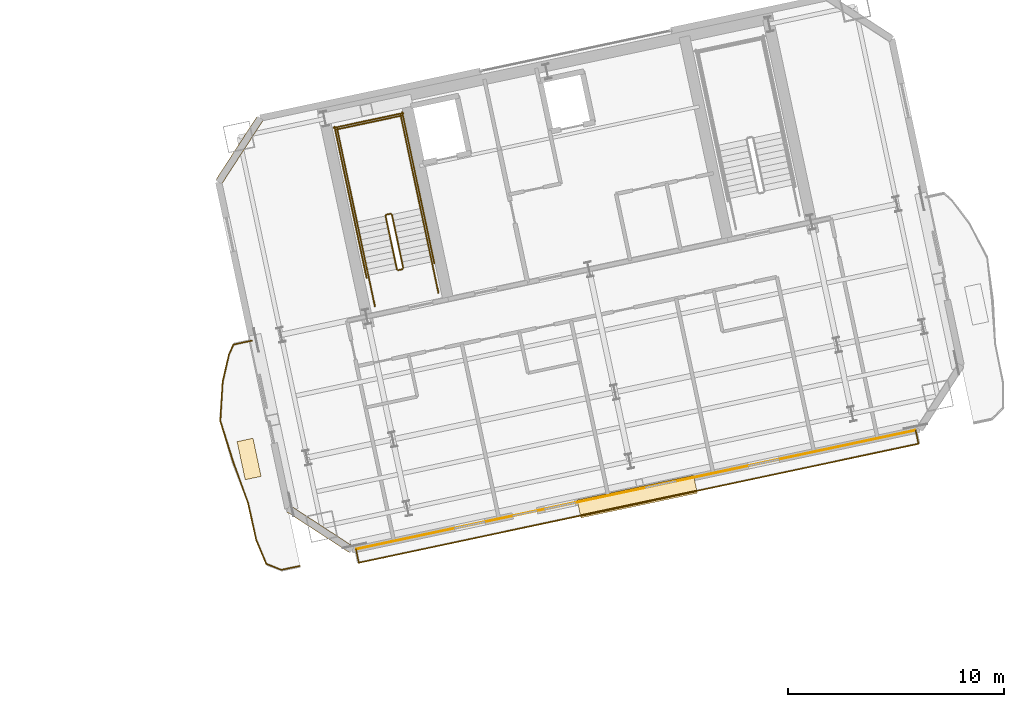
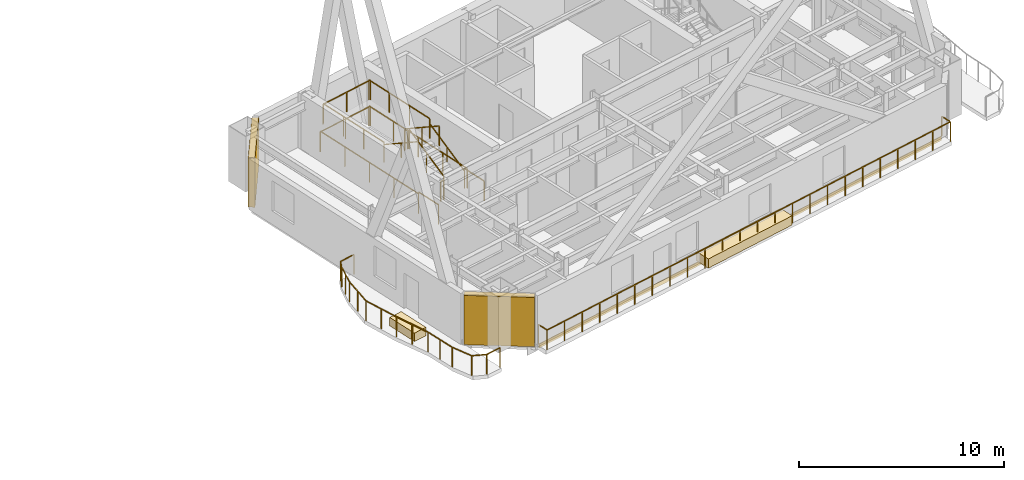
# One storey, part 18 of 19: 27 railings, 3 coverings, 2 shading devices.
"""IFC4 building model written with IfcOpenShell, lengths in metres."""

from ifc_helpers import new_model, si_unit, direction, frame, origin, origin_2d, place, context, subcontext, project, spatial, rectangle, extrude, material, layer, layer_set, type_object, element, save


model = new_model("IFC4")

# Units and contexts
model_context = context("Model", 3, precision=1e-05, world=origin(), true_north=direction((0.0, 1.0)))
body_context = subcontext(model_context, "Body", "Model", "MODEL_VIEW")
ifc_project = project(units=[si_unit("LENGTHUNIT", "METRE"), si_unit("AREAUNIT", "SQUARE_METRE"), si_unit("VOLUMEUNIT", "CUBIC_METRE"), si_unit("PLANEANGLEUNIT", "RADIAN"), si_unit("MASSUNIT", "GRAM", prefix="KILO")], contexts=[model_context])

# Site, building, storey
site_placement = place(None, origin())
site = spatial("IfcSite", under=ifc_project, at=site_placement, CompositionType="ELEMENT")
building_placement = place(site_placement, origin())
building = spatial("IfcBuilding", under=site, at=building_placement, Name="Haevon Station Towers", CompositionType="ELEMENT")
storey_placement = place(building_placement, frame((0.0, 0.0, 156.0)))
storey = spatial("IfcBuildingStorey", under=building, at=storey_placement, Name="L42", CompositionType="ELEMENT", Elevation=156.0)

# Covering
ifc_material_1 = material(Name="Anodised aluminium 6063-T6", Category="aluminium")
ifc_layer_1 = layer(ifc_material_1, 0.0400390625)
ifc_layer_set_1 = layer_set([ifc_layer_1], Name="Anodised aluminium 6063-T6")
covering_type_1 = type_object("IfcCoveringType", Name="COV-CLAD40", PredefinedType="CLADDING", material=ifc_layer_set_1)
covering_1_placement = place(storey_placement, frame((111.187255859375, 29.44287109375, -0.240234375), z_axis=(0.0, 0.0, 1.0), x_axis=(0.978147600734, 0.207911690818, 0.0)))
element("IfcCovering", 1, at=covering_1_placement, inside=storey, type_object=covering_type_1, Name="Tower 2 L42 Spandrel Fascia Cladding", PredefinedType="CLADDING", context=body_context, shape_type="SweptSolid", body=[
    extrude(rectangle(XDim=26.39990234375, YDim=0.0400390625, at=origin_2d()), origin(), (0.0, 0.0, 1.0), 0.239990234375),
])

# Railings
ifc_material_2 = material(Name="Steel S355", Category="steel")
railing_type_1 = type_object("IfcRailingType", Name="GRD-EXT1200", PredefinedType="GUARDRAIL", material=ifc_material_2)
railing_1_placement = place(storey_placement, frame((98.388916015625, 26.0703125, 0.0)))
element("IfcRailing", 2, at=railing_1_placement, inside=storey, type_object=railing_type_1, Name="L42 Perimeter Guardrail 1", PredefinedType="GUARDRAIL", context=body_context, shape_type="SweptSolid", body=[
    extrude(rectangle(XDim=0.048095703125, YDim=0.048095703125, at=origin_2d()), frame((0.0, 0.0, 1.17578125), z_axis=(0.9781482188, 0.207908783024, 0.0), x_axis=(-0.207908783024, 0.9781482188, 0.0)), (0.0, 0.0, 1.0), 26.439697265625),
    extrude(rectangle(XDim=0.0419921875, YDim=0.0419921875, at=origin_2d()), origin(), (0.0, 0.0, 1.0), 1.15185546875),
    extrude(rectangle(XDim=0.0419921875, YDim=0.0419921875, at=origin_2d()), frame((1.12451171875, 0.239013671875, 0.0)), (0.0, 0.0, 1.0), 1.15185546875),
    extrude(rectangle(XDim=0.0419921875, YDim=0.0419921875, at=origin_2d()), frame((2.248779296875, 0.47802734375, 0.0)), (0.0, 0.0, 1.0), 1.15185546875),
    extrude(rectangle(XDim=0.0419921875, YDim=0.0419921875, at=origin_2d()), frame((3.373291015625, 0.717041015625, 0.0)), (0.0, 0.0, 1.0), 1.15185546875),
    extrude(rectangle(XDim=0.0419921875, YDim=0.0419921875, at=origin_2d()), frame((4.497802734375, 0.9560546875, 0.0)), (0.0, 0.0, 1.0), 1.15185546875),
    extrude(rectangle(XDim=0.0419921875, YDim=0.0419921875, at=origin_2d()), frame((5.6220703125, 1.195068359375, 0.0)), (0.0, 0.0, 1.0), 1.15185546875),
    extrude(rectangle(XDim=0.0419921875, YDim=0.0419921875, at=origin_2d()), frame((6.74658203125, 1.43408203125, 0.0)), (0.0, 0.0, 1.0), 1.15185546875),
    extrude(rectangle(XDim=0.0419921875, YDim=0.0419921875, at=origin_2d()), frame((7.87109375, 1.673095703125, 0.0)), (0.0, 0.0, 1.0), 1.15185546875),
    extrude(rectangle(XDim=0.0419921875, YDim=0.0419921875, at=origin_2d()), frame((8.99560546875, 1.912109375, 0.0)), (0.0, 0.0, 1.0), 1.15185546875),
    extrude(rectangle(XDim=0.0419921875, YDim=0.0419921875, at=origin_2d()), frame((10.119873046875, 2.151123046875, 0.0)), (0.0, 0.0, 1.0), 1.15185546875),
    extrude(rectangle(XDim=0.0419921875, YDim=0.0419921875, at=origin_2d()), frame((11.244384765625, 2.39013671875, 0.0)), (0.0, 0.0, 1.0), 1.15185546875),
    extrude(rectangle(XDim=0.0419921875, YDim=0.0419921875, at=origin_2d()), frame((12.368896484375, 2.629150390625, 0.0)), (0.0, 0.0, 1.0), 1.15185546875),
    extrude(rectangle(XDim=0.0419921875, YDim=0.0419921875, at=origin_2d()), frame((13.4931640625, 2.867919921875, 0.0)), (0.0, 0.0, 1.0), 1.15185546875),
    extrude(rectangle(XDim=0.0419921875, YDim=0.0419921875, at=origin_2d()), frame((14.61767578125, 3.10693359375, 0.0)), (0.0, 0.0, 1.0), 1.15185546875),
    extrude(rectangle(XDim=0.0419921875, YDim=0.0419921875, at=origin_2d()), frame((15.7421875, 3.345947265625, 0.0)), (0.0, 0.0, 1.0), 1.15185546875),
    extrude(rectangle(XDim=0.0419921875, YDim=0.0419921875, at=origin_2d()), frame((16.866455078125, 3.5849609375, 0.0)), (0.0, 0.0, 1.0), 1.15185546875),
    extrude(rectangle(XDim=0.0419921875, YDim=0.0419921875, at=origin_2d()), frame((17.990966796875, 3.823974609375, 0.0)), (0.0, 0.0, 1.0), 1.15185546875),
    extrude(rectangle(XDim=0.0419921875, YDim=0.0419921875, at=origin_2d()), frame((19.115478515625, 4.06298828125, 0.0)), (0.0, 0.0, 1.0), 1.15185546875),
    extrude(rectangle(XDim=0.0419921875, YDim=0.0419921875, at=origin_2d()), frame((20.239990234375, 4.302001953125, 0.0)), (0.0, 0.0, 1.0), 1.15185546875),
    extrude(rectangle(XDim=0.0419921875, YDim=0.0419921875, at=origin_2d()), frame((21.3642578125, 4.541015625, 0.0)), (0.0, 0.0, 1.0), 1.15185546875),
    extrude(rectangle(XDim=0.0419921875, YDim=0.0419921875, at=origin_2d()), frame((22.48876953125, 4.780029296875, 0.0)), (0.0, 0.0, 1.0), 1.15185546875),
    extrude(rectangle(XDim=0.0419921875, YDim=0.0419921875, at=origin_2d()), frame((23.61328125, 5.01904296875, 0.0)), (0.0, 0.0, 1.0), 1.15185546875),
    extrude(rectangle(XDim=0.0419921875, YDim=0.0419921875, at=origin_2d()), frame((24.737548828125, 5.258056640625, 0.0)), (0.0, 0.0, 1.0), 1.15185546875),
    extrude(rectangle(XDim=0.0419921875, YDim=0.0419921875, at=origin_2d()), frame((25.862060546875, 5.4970703125, 0.0)), (0.0, 0.0, 1.0), 1.15185546875),
])
railing_2_placement = place(storey_placement, frame((124.2509765625, 31.5673828125, 0.0)))
element("IfcRailing", 3, at=railing_2_placement, inside=storey, type_object=railing_type_1, Name="L42 Perimeter Guardrail 2", PredefinedType="GUARDRAIL", context=body_context, shape_type="SweptSolid", body=[
    extrude(rectangle(XDim=0.048095703125, YDim=0.048095703125, at=origin_2d()), frame((0.0, 0.0, 1.17578125), z_axis=(-0.20770609595, 0.97819127869, 0.0), x_axis=(-0.97819127869, -0.20770609595, 0.0)), (0.0, 0.0, 1.0), 0.631103515625),
    extrude(rectangle(XDim=0.0419921875, YDim=0.0419921875, at=origin_2d()), origin(), (0.0, 0.0, 1.0), 1.15185546875),
    extrude(rectangle(XDim=0.0419921875, YDim=0.0419921875, at=origin_2d()), frame((-0.131103515625, 0.617431640625, 0.0)), (0.0, 0.0, 1.0), 1.15185546875),
])
railing_3_placement = place(storey_placement, frame((98.257568359375, 26.6875, 0.0)))
element("IfcRailing", 4, at=railing_3_placement, inside=storey, type_object=railing_type_1, Name="L42 Perimeter Guardrail 3", PredefinedType="GUARDRAIL", context=body_context, shape_type="SweptSolid", body=[
    extrude(rectangle(XDim=0.048095703125, YDim=0.048095703125, at=origin_2d()), frame((0.0, 0.0, 1.17578125), z_axis=(0.208154897238, -0.97809587401, 0.0), x_axis=(0.97809587401, 0.208154897238, 0.0)), (0.0, 0.0, 1.0), 0.631103515625),
    extrude(rectangle(XDim=0.0419921875, YDim=0.0419921875, at=origin_2d()), origin(), (0.0, 0.0, 1.0), 1.15185546875),
    extrude(rectangle(XDim=0.0419921875, YDim=0.0419921875, at=origin_2d()), frame((0.13134765625, -0.6171875, 0.0)), (0.0, 0.0, 1.0), 1.15185546875),
])
railing_4_placement = place(storey_placement, frame((93.44384765625, 36.33154296875, 0.0)))
element("IfcRailing", 5, at=railing_4_placement, inside=storey, type_object=railing_type_1, Name="L42 Perimeter Guardrail 1", PredefinedType="GUARDRAIL", context=body_context, shape_type="SweptSolid", body=[
    extrude(rectangle(XDim=0.048095703125, YDim=0.048095703125, at=origin_2d()), frame((0.0, 0.0, 1.17578125), z_axis=(-0.977695451476, -0.210027627141, 0.0), x_axis=(0.210027627141, -0.977695451476, 0.0)), (0.0, 0.0, 1.0), 0.869384765625),
    extrude(rectangle(XDim=0.0419921875, YDim=0.0419921875, at=origin_2d()), origin(), (0.0, 0.0, 1.0), 1.15185546875),
    extrude(rectangle(XDim=0.0419921875, YDim=0.0419921875, at=origin_2d()), frame((-0.85009765625, -0.1826171875, 0.0)), (0.0, 0.0, 1.0), 1.15185546875),
])
railing_5_placement = place(storey_placement, frame((92.59375, 36.14892578125, 0.0)))
element("IfcRailing", 6, at=railing_5_placement, inside=storey, type_object=railing_type_1, Name="L42 Perimeter Guardrail 2", PredefinedType="GUARDRAIL", context=body_context, shape_type="SweptSolid", body=[
    extrude(rectangle(XDim=0.048095703125, YDim=0.048095703125, at=origin_2d()), frame((0.0, 0.0, 1.17578125), z_axis=(-0.406806804169, -0.913514216683, 0.0), x_axis=(0.913514216683, -0.406806804169, 0.0)), (0.0, 0.0, 1.0), 0.50830078125),
    extrude(rectangle(XDim=0.0419921875, YDim=0.0419921875, at=origin_2d()), origin(), (0.0, 0.0, 1.0), 1.15185546875),
    extrude(rectangle(XDim=0.0419921875, YDim=0.0419921875, at=origin_2d()), frame((-0.206787109375, -0.46435546875, 0.0)), (0.0, 0.0, 1.0), 1.15185546875),
])
railing_6_placement = place(storey_placement, frame((92.386962890625, 35.6845703125, 0.0)))
element("IfcRailing", 7, at=railing_6_placement, inside=storey, type_object=railing_type_1, Name="L42 Perimeter Guardrail 3", PredefinedType="GUARDRAIL", context=body_context, shape_type="SweptSolid", body=[
    extrude(rectangle(XDim=0.048095703125, YDim=0.048095703125, at=origin_2d()), frame((0.0, 0.0, 1.17578125), z_axis=(-0.225729273284, -0.974190071384, 0.0), x_axis=(0.974190071384, -0.225729273284, 0.0)), (0.0, 0.0, 1.0), 1.29150390625),
    extrude(rectangle(XDim=0.0419921875, YDim=0.0419921875, at=origin_2d()), origin(), (0.0, 0.0, 1.0), 1.15185546875),
    extrude(rectangle(XDim=0.0419921875, YDim=0.0419921875, at=origin_2d()), frame((-0.145751953125, -0.62890625, 0.0)), (0.0, 0.0, 1.0), 1.15185546875),
    extrude(rectangle(XDim=0.0419921875, YDim=0.0419921875, at=origin_2d()), frame((-0.29150390625, -1.258056640625, 0.0)), (0.0, 0.0, 1.0), 1.15185546875),
])
railing_7_placement = place(storey_placement, frame((92.095458984375, 34.426513671875, 0.0)))
element("IfcRailing", 8, at=railing_7_placement, inside=storey, type_object=railing_type_1, Name="L42 Perimeter Guardrail 4", PredefinedType="GUARDRAIL", context=body_context, shape_type="SweptSolid", body=[
    extrude(rectangle(XDim=0.048095703125, YDim=0.048095703125, at=origin_2d()), frame((0.0, 0.0, 1.17578125), z_axis=(-0.060144905, -0.99818965653, 0.0), x_axis=(0.99818965653, -0.060144905, 0.0)), (0.0, 0.0, 1.0), 1.810302734375),
    extrude(rectangle(XDim=0.0419921875, YDim=0.0419921875, at=origin_2d()), origin(), (0.0, 0.0, 1.0), 1.15185546875),
    extrude(rectangle(XDim=0.0419921875, YDim=0.0419921875, at=origin_2d()), frame((-0.054443359375, -0.903564453125, 0.0)), (0.0, 0.0, 1.0), 1.15185546875),
    extrude(rectangle(XDim=0.0419921875, YDim=0.0419921875, at=origin_2d()), frame((-0.10888671875, -1.80712890625, 0.0)), (0.0, 0.0, 1.0), 1.15185546875),
])
railing_8_placement = place(storey_placement, frame((91.986572265625, 32.619384765625, 0.0)))
element("IfcRailing", 9, at=railing_8_placement, inside=storey, type_object=railing_type_1, Name="L42 Perimeter Guardrail 5", PredefinedType="GUARDRAIL", context=body_context, shape_type="SweptSolid", body=[
    extrude(rectangle(XDim=0.048095703125, YDim=0.048095703125, at=origin_2d()), frame((0.0, 0.0, 1.17578125), z_axis=(0.302413974896, -0.953176682356, 0.0), x_axis=(0.953176682356, 0.302413974896, 0.0)), (0.0, 0.0, 1.0), 2.003662109375),
    extrude(rectangle(XDim=0.0419921875, YDim=0.0419921875, at=origin_2d()), origin(), (0.0, 0.0, 1.0), 1.15185546875),
    extrude(rectangle(XDim=0.0419921875, YDim=0.0419921875, at=origin_2d()), frame((0.302978515625, -0.955078125, 0.0)), (0.0, 0.0, 1.0), 1.15185546875),
    extrude(rectangle(XDim=0.0419921875, YDim=0.0419921875, at=origin_2d()), frame((0.60595703125, -1.909912109375, 0.0)), (0.0, 0.0, 1.0), 1.15185546875),
])
railing_9_placement = place(storey_placement, frame((92.592529296875, 30.70947265625, 0.0)))
element("IfcRailing", 10, at=railing_9_placement, inside=storey, type_object=railing_type_1, Name="L42 Perimeter Guardrail 6", PredefinedType="GUARDRAIL", context=body_context, shape_type="SweptSolid", body=[
    extrude(rectangle(XDim=0.048095703125, YDim=0.048095703125, at=origin_2d()), frame((0.0, 0.0, 1.17578125), z_axis=(0.339339589496, -0.940663937334, 0.0), x_axis=(0.940663937334, 0.339339589496, 0.0)), (0.0, 0.0, 1.0), 2.00732421875),
    extrude(rectangle(XDim=0.0419921875, YDim=0.0419921875, at=origin_2d()), origin(), (0.0, 0.0, 1.0), 1.15185546875),
    extrude(rectangle(XDim=0.0419921875, YDim=0.0419921875, at=origin_2d()), frame((0.340576171875, -0.944091796875, 0.0)), (0.0, 0.0, 1.0), 1.15185546875),
    extrude(rectangle(XDim=0.0419921875, YDim=0.0419921875, at=origin_2d()), frame((0.68115234375, -1.88818359375, 0.0)), (0.0, 0.0, 1.0), 1.15185546875),
])
railing_10_placement = place(storey_placement, frame((93.273681640625, 28.8212890625, 0.0)))
element("IfcRailing", 11, at=railing_10_placement, inside=storey, type_object=railing_type_1, Name="L42 Perimeter Guardrail 7", PredefinedType="GUARDRAIL", context=body_context, shape_type="SweptSolid", body=[
    extrude(rectangle(XDim=0.048095703125, YDim=0.048095703125, at=origin_2d()), frame((0.0, 0.0, 1.17578125), z_axis=(0.215069312973, -0.976598786922, 0.0), x_axis=(0.976598786922, 0.215069312973, 0.0)), (0.0, 0.0, 1.0), 1.75048828125),
    extrude(rectangle(XDim=0.0419921875, YDim=0.0419921875, at=origin_2d()), origin(), (0.0, 0.0, 1.0), 1.15185546875),
    extrude(rectangle(XDim=0.0419921875, YDim=0.0419921875, at=origin_2d()), frame((0.188232421875, -0.854736328125, 0.0)), (0.0, 0.0, 1.0), 1.15185546875),
    extrude(rectangle(XDim=0.0419921875, YDim=0.0419921875, at=origin_2d()), frame((0.37646484375, -1.70947265625, 0.0)), (0.0, 0.0, 1.0), 1.15185546875),
])
railing_11_placement = place(storey_placement, frame((93.650146484375, 27.11181640625, 0.0)))
element("IfcRailing", 12, at=railing_11_placement, inside=storey, type_object=railing_type_1, Name="L42 Perimeter Guardrail 8", PredefinedType="GUARDRAIL", context=body_context, shape_type="SweptSolid", body=[
    extrude(rectangle(XDim=0.048095703125, YDim=0.048095703125, at=origin_2d()), frame((0.0, 0.0, 1.17578125), z_axis=(0.389860525795, -0.920873916683, 0.0), x_axis=(0.920873916683, 0.389860525795, 0.0)), (0.0, 0.0, 1.0), 1.191650390625),
    extrude(rectangle(XDim=0.0419921875, YDim=0.0419921875, at=origin_2d()), origin(), (0.0, 0.0, 1.0), 1.15185546875),
    extrude(rectangle(XDim=0.0419921875, YDim=0.0419921875, at=origin_2d()), frame((0.464599609375, -1.097412109375, 0.0)), (0.0, 0.0, 1.0), 1.15185546875),
])
railing_12_placement = place(storey_placement, frame((94.11474609375, 26.014404296875, 0.0)))
element("IfcRailing", 13, at=railing_12_placement, inside=storey, type_object=railing_type_1, Name="L42 Perimeter Guardrail 9", PredefinedType="GUARDRAIL", context=body_context, shape_type="SweptSolid", body=[
    extrude(rectangle(XDim=0.048095703125, YDim=0.048095703125, at=origin_2d()), frame((0.0, 0.0, 1.17578125), z_axis=(0.929918939499, -0.367764552344, 0.0), x_axis=(0.367764552344, 0.929918939499, 0.0)), (0.0, 0.0, 1.0), 0.743408203125),
    extrude(rectangle(XDim=0.0419921875, YDim=0.0419921875, at=origin_2d()), origin(), (0.0, 0.0, 1.0), 1.15185546875),
    extrude(rectangle(XDim=0.0419921875, YDim=0.0419921875, at=origin_2d()), frame((0.69140625, -0.2734375, 0.0)), (0.0, 0.0, 1.0), 1.15185546875),
])
railing_13_placement = place(storey_placement, frame((94.80615234375, 25.740966796875, 0.0)))
element("IfcRailing", 14, at=railing_13_placement, inside=storey, type_object=railing_type_1, Name="L42 Perimeter Guardrail 10", PredefinedType="GUARDRAIL", context=body_context, shape_type="SweptSolid", body=[
    extrude(rectangle(XDim=0.048095703125, YDim=0.048095703125, at=origin_2d()), frame((0.0, 0.0, 1.17578125), z_axis=(0.978588498747, 0.205826504901, 0.0), x_axis=(-0.205826504901, 0.978588498747, 0.0)), (0.0, 0.0, 1.0), 0.869384765625),
    extrude(rectangle(XDim=0.0419921875, YDim=0.0419921875, at=origin_2d()), origin(), (0.0, 0.0, 1.0), 1.15185546875),
    extrude(rectangle(XDim=0.0419921875, YDim=0.0419921875, at=origin_2d()), frame((0.850830078125, 0.178955078125, 0.0)), (0.0, 0.0, 1.0), 1.15185546875),
])
railing_type_2 = type_object("IfcRailingType", Name="GRD-STR1200", PredefinedType="GUARDRAIL", material=ifc_material_2)
railing_14_placement = place(storey_placement, frame((100.44140625, 39.69287109375, 0.1650390625)))
element("IfcRailing", 15, at=railing_14_placement, inside=storey, type_object=railing_type_2, Name="L42 ST3 Stair Guard 1", PredefinedType="GUARDRAIL", context=body_context, shape_type="SweptSolid", body=[
    extrude(rectangle(XDim=0.048095703125, YDim=0.048095703125, at=origin_2d()), frame((0.0, 0.0, 1.17578125), z_axis=(-0.179128856099, 0.842723639875, 0.507670877349), x_axis=(-0.978147030254, -0.207914374695, 0.0)), (0.0, 0.0, 1.0), 2.9248046875),
    extrude(rectangle(XDim=0.0419921875, YDim=0.0419921875, at=origin_2d()), origin(), (0.0, 0.0, 1.0), 1.15185546875),
    extrude(rectangle(XDim=0.0419921875, YDim=0.0419921875, at=origin_2d()), frame((-0.261962890625, 1.232421875, 0.742431640625)), (0.0, 0.0, 1.0), 1.15185546875),
    extrude(rectangle(XDim=0.0419921875, YDim=0.0419921875, at=origin_2d()), frame((-0.52392578125, 2.46484375, 1.48486328125)), (0.0, 0.0, 1.0), 1.15185546875),
])
railing_15_placement = place(storey_placement, frame((99.858154296875, 42.1962890625, 1.64990234375)))
element("IfcRailing", 16, at=railing_15_placement, inside=storey, type_object=railing_type_2, Name="L42 ST3 Stair Guard 2", PredefinedType="GUARDRAIL", context=body_context, shape_type="SweptSolid", body=[
    extrude(rectangle(XDim=0.048095703125, YDim=0.048095703125, at=origin_2d()), frame((0.0, 0.0, 1.17578125), z_axis=(-0.977962931203, -0.208778603291, 0.0), x_axis=(0.208778603291, -0.977962931203, 0.0)), (0.0, 0.0, 1.0), 0.199951171875),
    extrude(rectangle(XDim=0.0419921875, YDim=0.0419921875, at=origin_2d()), origin(), (0.0, 0.0, 1.0), 1.15185546875),
    extrude(rectangle(XDim=0.0419921875, YDim=0.0419921875, at=origin_2d()), frame((-0.195556640625, -0.041748046875, 0.0)), (0.0, 0.0, 1.0), 1.15185546875),
])
railing_16_placement = place(storey_placement, frame((101.238037109375, 42.4384765625, 1.64990234375)))
element("IfcRailing", 17, at=railing_16_placement, inside=storey, type_object=railing_type_2, Name="L42 ST3 Stair Guard 3", PredefinedType="GUARDRAIL", context=body_context, shape_type="SweptSolid", body=[
    extrude(rectangle(XDim=0.048095703125, YDim=0.048095703125, at=origin_2d()), frame((0.0, 0.0, 1.17578125), z_axis=(-0.20794048909, 0.978141479029, 0.0), x_axis=(-0.978141479029, -0.20794048909, 0.0)), (0.0, 0.0, 1.0), 4.429931640625),
    extrude(rectangle(XDim=0.0419921875, YDim=0.0419921875, at=origin_2d()), origin(), (0.0, 0.0, 1.0), 1.15185546875),
    extrude(rectangle(XDim=0.0419921875, YDim=0.0419921875, at=origin_2d()), frame((-0.30712890625, 1.4443359375, 0.0)), (0.0, 0.0, 1.0), 1.15185546875),
    extrude(rectangle(XDim=0.0419921875, YDim=0.0419921875, at=origin_2d()), frame((-0.614013671875, 2.888671875, 0.0)), (0.0, 0.0, 1.0), 1.15185546875),
    extrude(rectangle(XDim=0.0419921875, YDim=0.0419921875, at=origin_2d()), frame((-0.921142578125, 4.3330078125, 0.0)), (0.0, 0.0, 1.0), 1.15185546875),
])
railing_17_placement = place(storey_placement, frame((98.303466796875, 41.814697265625, 1.64990234375)))
element("IfcRailing", 18, at=railing_17_placement, inside=storey, type_object=railing_type_2, Name="L42 ST3 Stair Guard 4", PredefinedType="GUARDRAIL", context=body_context, shape_type="SweptSolid", body=[
    extrude(rectangle(XDim=0.048095703125, YDim=0.048095703125, at=origin_2d()), frame((0.0, 0.0, 1.17578125), z_axis=(-0.207876551949, 0.978155069071, 0.0), x_axis=(-0.978155069071, -0.207876551949, 0.0)), (0.0, 0.0, 1.0), 4.429931640625),
    extrude(rectangle(XDim=0.0419921875, YDim=0.0419921875, at=origin_2d()), origin(), (0.0, 0.0, 1.0), 1.15185546875),
    extrude(rectangle(XDim=0.0419921875, YDim=0.0419921875, at=origin_2d()), frame((-0.306884765625, 1.4443359375, 0.0)), (0.0, 0.0, 1.0), 1.15185546875),
    extrude(rectangle(XDim=0.0419921875, YDim=0.0419921875, at=origin_2d()), frame((-0.614013671875, 2.888916015625, 0.0)), (0.0, 0.0, 1.0), 1.15185546875),
    extrude(rectangle(XDim=0.0419921875, YDim=0.0419921875, at=origin_2d()), frame((-0.9208984375, 4.333251953125, 0.0)), (0.0, 0.0, 1.0), 1.15185546875),
])
railing_18_placement = place(storey_placement, frame((100.376220703125, 46.733154296875, 1.64990234375)))
element("IfcRailing", 19, at=railing_18_placement, inside=storey, type_object=railing_type_2, Name="L42 ST3 Stair Guard 5", PredefinedType="GUARDRAIL", context=body_context, shape_type="SweptSolid", body=[
    extrude(rectangle(XDim=0.048095703125, YDim=0.048095703125, at=origin_2d()), frame((0.0, 0.0, 1.17578125), z_axis=(-0.978146839882, -0.207915270313, 0.0), x_axis=(0.207915270313, -0.978146839882, 0.0)), (0.0, 0.0, 1.0), 3.099853515625),
    extrude(rectangle(XDim=0.0419921875, YDim=0.0419921875, at=origin_2d()), origin(), (0.0, 0.0, 1.0), 1.15185546875),
    extrude(rectangle(XDim=0.0419921875, YDim=0.0419921875, at=origin_2d()), frame((-1.51611328125, -0.322265625, 0.0)), (0.0, 0.0, 1.0), 1.15185546875),
    extrude(rectangle(XDim=0.0419921875, YDim=0.0419921875, at=origin_2d()), frame((-3.0322265625, -0.64453125, 0.0)), (0.0, 0.0, 1.0), 1.15185546875),
])
railing_19_placement = place(storey_placement, frame((99.6240234375, 42.09521484375, 1.81494140625)))
element("IfcRailing", 20, at=railing_19_placement, inside=storey, type_object=railing_type_2, Name="L42 ST3 Stair Guard 6", PredefinedType="GUARDRAIL", context=body_context, shape_type="SweptSolid", body=[
    extrude(rectangle(XDim=0.048095703125, YDim=0.048095703125, at=origin_2d()), frame((0.0, 0.0, 1.17578125), z_axis=(0.179121265225, -0.842687928106, 0.507732831485), x_axis=(0.978147030254, 0.207914374695, 0.0)), (0.0, 0.0, 1.0), 2.925048828125),
    extrude(rectangle(XDim=0.0419921875, YDim=0.0419921875, at=origin_2d()), origin(), (0.0, 0.0, 1.0), 1.15185546875),
    extrude(rectangle(XDim=0.0419921875, YDim=0.0419921875, at=origin_2d()), frame((0.261962890625, -1.232421875, 0.74267578125)), (0.0, 0.0, 1.0), 1.15185546875),
    extrude(rectangle(XDim=0.0419921875, YDim=0.0419921875, at=origin_2d()), frame((0.52392578125, -2.46484375, 1.485107421875)), (0.0, 0.0, 1.0), 1.15185546875),
])
railing_20_placement = place(storey_placement, frame((100.40283203125, 39.633544921875, 0.0)))
element("IfcRailing", 21, at=railing_20_placement, inside=storey, type_object=railing_type_2, Name="L42 ST3 Stair Guard 7", PredefinedType="GUARDRAIL", context=body_context, shape_type="SweptSolid", body=[
    extrude(rectangle(XDim=0.048095703125, YDim=0.048095703125, at=origin_2d()), frame((0.0, 0.0, 1.17578125), z_axis=(-0.977962931203, -0.208778603291, 0.0), x_axis=(0.208778603291, -0.977962931203, 0.0)), (0.0, 0.0, 1.0), 0.199951171875),
    extrude(rectangle(XDim=0.0419921875, YDim=0.0419921875, at=origin_2d()), origin(), (0.0, 0.0, 1.0), 1.15185546875),
    extrude(rectangle(XDim=0.0419921875, YDim=0.0419921875, at=origin_2d()), frame((-0.195556640625, -0.041748046875, 0.0)), (0.0, 0.0, 1.0), 1.15185546875),
])
for number, where, name in (
    (22, (102.0634765625, 38.55517578125, 0.0), "L42 ST3 Stair Guard 8"),
    (23, (99.12890625, 37.931396484375, 0.0), "L42 ST3 Stair Guard 9"),
):
    element("IfcRailing", number, at=place(storey_placement, frame(where)), inside=storey, type_object=railing_type_2, Name=name, PredefinedType="GUARDRAIL", context=body_context, shape_type="SweptSolid", body=[
        extrude(rectangle(XDim=0.048095703125, YDim=0.048095703125, at=origin_2d()), frame((0.0, 0.0, 1.17578125), z_axis=(-0.207953405961, 0.978138732977, 0.0), x_axis=(-0.978138732977, -0.207953405961, 0.0)), (0.0, 0.0, 1.0), 1.449951171875),
        extrude(rectangle(XDim=0.0419921875, YDim=0.0419921875, at=origin_2d()), origin(), (0.0, 0.0, 1.0), 1.15185546875),
        extrude(rectangle(XDim=0.0419921875, YDim=0.0419921875, at=origin_2d()), frame((-0.301513671875, 1.418212890625, 0.0)), (0.0, 0.0, 1.0), 1.15185546875),
    ])
railing_21_placement = place(storey_placement, frame((101.88037109375, 39.896484375, 0.0)))
element("IfcRailing", 24, at=railing_21_placement, inside=storey, type_object=railing_type_2, Name="L42 ST3 Stair Guard 10", PredefinedType="GUARDRAIL", context=body_context, shape_type="SweptSolid", body=[
    extrude(rectangle(XDim=0.048095703125, YDim=0.048095703125, at=origin_2d()), frame((0.0, 0.0, 1.17578125), z_axis=(-0.207882442208, 0.978153817261, 0.0), x_axis=(-0.978153817261, -0.207882442208, 0.0)), (0.0, 0.0, 1.0), 7.14990234375),
    extrude(rectangle(XDim=0.0419921875, YDim=0.0419921875, at=origin_2d()), origin(), (0.0, 0.0, 1.0), 1.15185546875),
    extrude(rectangle(XDim=0.0419921875, YDim=0.0419921875, at=origin_2d()), frame((-0.37158203125, 1.74853515625, 0.0)), (0.0, 0.0, 1.0), 1.15185546875),
    extrude(rectangle(XDim=0.0419921875, YDim=0.0419921875, at=origin_2d()), frame((-0.7431640625, 3.496826171875, 0.0)), (0.0, 0.0, 1.0), 1.15185546875),
    extrude(rectangle(XDim=0.0419921875, YDim=0.0419921875, at=origin_2d()), frame((-1.11474609375, 5.2451171875, 0.0)), (0.0, 0.0, 1.0), 1.15185546875),
    extrude(rectangle(XDim=0.0419921875, YDim=0.0419921875, at=origin_2d()), frame((-1.486328125, 6.99365234375, 0.0)), (0.0, 0.0, 1.0), 1.15185546875),
])
railing_22_placement = place(storey_placement, frame((98.75048828125, 39.231201171875, 0.0)))
element("IfcRailing", 25, at=railing_22_placement, inside=storey, type_object=railing_type_2, Name="L42 ST3 Stair Guard 11", PredefinedType="GUARDRAIL", context=body_context, shape_type="SweptSolid", body=[
    extrude(rectangle(XDim=0.048095703125, YDim=0.048095703125, at=origin_2d()), frame((0.0, 0.0, 1.17578125), z_axis=(-0.207915112487, 0.978146873429, 0.0), x_axis=(-0.978146873429, -0.207915112487, 0.0)), (0.0, 0.0, 1.0), 7.14990234375),
    extrude(rectangle(XDim=0.0419921875, YDim=0.0419921875, at=origin_2d()), origin(), (0.0, 0.0, 1.0), 1.15185546875),
    extrude(rectangle(XDim=0.0419921875, YDim=0.0419921875, at=origin_2d()), frame((-0.37158203125, 1.74853515625, 0.0)), (0.0, 0.0, 1.0), 1.15185546875),
    extrude(rectangle(XDim=0.0419921875, YDim=0.0419921875, at=origin_2d()), frame((-0.7431640625, 3.496826171875, 0.0)), (0.0, 0.0, 1.0), 1.15185546875),
    extrude(rectangle(XDim=0.0419921875, YDim=0.0419921875, at=origin_2d()), frame((-1.114990234375, 5.2451171875, 0.0)), (0.0, 0.0, 1.0), 1.15185546875),
    extrude(rectangle(XDim=0.0419921875, YDim=0.0419921875, at=origin_2d()), frame((-1.486572265625, 6.99365234375, 0.0)), (0.0, 0.0, 1.0), 1.15185546875),
])
railing_23_placement = place(storey_placement, frame((100.453125, 46.8515625, 0.0)))
element("IfcRailing", 26, at=railing_23_placement, inside=storey, type_object=railing_type_2, Name="L42 ST3 Stair Guard 12", PredefinedType="GUARDRAIL", context=body_context, shape_type="SweptSolid", body=[
    extrude(rectangle(XDim=0.048095703125, YDim=0.048095703125, at=origin_2d()), frame((0.0, 0.0, 1.17578125), z_axis=(-0.978150764849, -0.207896804268, 0.0), x_axis=(0.207896804268, -0.978150764849, 0.0)), (0.0, 0.0, 1.0), 3.2998046875),
    extrude(rectangle(XDim=0.0419921875, YDim=0.0419921875, at=origin_2d()), origin(), (0.0, 0.0, 1.0), 1.15185546875),
    extrude(rectangle(XDim=0.0419921875, YDim=0.0419921875, at=origin_2d()), frame((-1.61376953125, -0.343017578125, 0.0)), (0.0, 0.0, 1.0), 1.15185546875),
    extrude(rectangle(XDim=0.0419921875, YDim=0.0419921875, at=origin_2d()), frame((-3.227783203125, -0.68603515625, 0.0)), (0.0, 0.0, 1.0), 1.15185546875),
])
railing_type_3 = type_object("IfcRailingType", Name="HND-STR900", PredefinedType="HANDRAIL", material=ifc_material_2)
railing_24_placement = place(storey_placement, frame((101.761962890625, 39.973388671875, 0.1650390625)))
element("IfcRailing", 27, at=railing_24_placement, inside=storey, type_object=railing_type_3, Name="L42 ST3 Stair Handrail 1", PredefinedType="HANDRAIL", context=body_context, shape_type="SweptSolid", body=[
    extrude(rectangle(XDim=0.048095703125, YDim=0.048095703125, at=origin_2d()), frame((0.0, 0.0, 0.8759765625), z_axis=(-0.179116256339, 0.842747828638, 0.507635168246), x_axis=(-0.978151217824, -0.207894673017, 0.0)), (0.0, 0.0, 1.0), 2.925048828125),
    extrude(rectangle(XDim=0.0419921875, YDim=0.0419921875, at=origin_2d()), origin(), (0.0, 0.0, 1.0), 0.851806640625),
    extrude(rectangle(XDim=0.0419921875, YDim=0.0419921875, at=origin_2d()), frame((-0.261962890625, 1.232421875, 0.742431640625)), (0.0, 0.0, 1.0), 0.851806640625),
    extrude(rectangle(XDim=0.0419921875, YDim=0.0419921875, at=origin_2d()), frame((-0.52392578125, 2.465087890625, 1.48486328125)), (0.0, 0.0, 1.0), 0.851806640625),
])
railing_25_placement = place(storey_placement, frame((98.303466796875, 41.814697265625, 1.81494140625)))
element("IfcRailing", 28, at=railing_25_placement, inside=storey, type_object=railing_type_3, Name="L42 ST3 Stair Handrail 2", PredefinedType="HANDRAIL", context=body_context, shape_type="SweptSolid", body=[
    extrude(rectangle(XDim=0.048095703125, YDim=0.048095703125, at=origin_2d()), frame((0.0, 0.0, 0.8759765625), z_axis=(0.179108667068, -0.842712120868, 0.50769712105), x_axis=(0.978151217824, 0.207894673017, 0.0)), (0.0, 0.0, 1.0), 2.92529296875),
    extrude(rectangle(XDim=0.0419921875, YDim=0.0419921875, at=origin_2d()), origin(), (0.0, 0.0, 1.0), 0.851806640625),
    extrude(rectangle(XDim=0.0419921875, YDim=0.0419921875, at=origin_2d()), frame((0.261962890625, -1.232421875, 0.74267578125)), (0.0, 0.0, 1.0), 0.851806640625),
    extrude(rectangle(XDim=0.0419921875, YDim=0.0419921875, at=origin_2d()), frame((0.52392578125, -2.465087890625, 1.485107421875)), (0.0, 0.0, 1.0), 0.851806640625),
])

# Coverings
ifc_material_3 = material(Name="Architectural planter GRC", Category="concrete")
ifc_layer_2 = layer(ifc_material_3, 0.550048828125)
ifc_layer_set_2 = layer_set([ifc_layer_2], Name="Architectural planter GRC")
covering_type_2 = type_object("IfcCoveringType", Name="PLN-GRC550", PredefinedType="MOLDING", material=ifc_layer_set_2)
covering_2_placement = place(storey_placement, frame((111.25439453125, 29.12744140625, 0.0), z_axis=(0.0, 0.0, 1.0), x_axis=(0.978147600734, 0.207911690818, 0.0)))
element("IfcCovering", 29, at=covering_2_placement, inside=storey, type_object=covering_type_2, Name="Tower 2 L42 Sky-Garden GRC PLANTER", PredefinedType="MOLDING", context=body_context, shape_type="SweptSolid", body=[
    extrude(rectangle(XDim=5.5, YDim=0.85009765625, at=origin_2d()), origin(), (0.0, 0.0, 1.0), 0.550048828125),
])
covering_3_placement = place(storey_placement, frame((93.318115234375, 30.86376953125, 0.0), z_axis=(0.0, 0.0, 1.0), x_axis=(0.978147600734, 0.207911690818, 0.0)))
element("IfcCovering", 30, at=covering_3_placement, inside=storey, type_object=covering_type_2, Name="Tower 2 L42 Scalloped Balcony PLANTER", PredefinedType="MOLDING", context=body_context, shape_type="SweptSolid", body=[
    extrude(rectangle(XDim=0.75, YDim=1.800048828125, at=origin_2d()), origin(), (0.0, 0.0, 1.0), 0.5),
])

# Shading devices
ifc_layer_3 = layer(ifc_material_1, 0.139892578125)
ifc_layer_set_3 = layer_set([ifc_layer_3], Name="Anodised aluminium 6063-T6")
shading_device_type = type_object("IfcShadingDeviceType", Name="SHD-WIND-BAFFLE", PredefinedType="SHUTTER", material=ifc_layer_set_3)
for number, where, z_axis, x_axis, name in (
    (31, (96.597412109375, 27.61962890625, 0.0498046875), (0.0, 0.0, 1.0), (-0.838670603544, 0.544638980197, 0.0), "Tower 2 L42 Wind-Corner Aerofoil Baffle SWC"),
    (32, (92.873779296875, 45.138427734375, 0.0498046875), (0.0, 0.0, 1.0), (0.544639109388, 0.838670519647, 0.0), "Tower 2 L42 Wind-Corner Aerofoil Baffle NWC"),
):
    element("IfcShadingDevice", number, at=place(storey_placement, frame(where, z_axis=z_axis, x_axis=x_axis)), inside=storey, type_object=shading_device_type, Name=name, PredefinedType="SHUTTER", context=body_context, shape_type="SweptSolid", body=[
        extrude(rectangle(XDim=3.435546875, YDim=0.340087890625, at=origin_2d()), origin(), (0.0, 0.0, 1.0), 2.929931640625),
    ])

save(model, "model.ifc")
